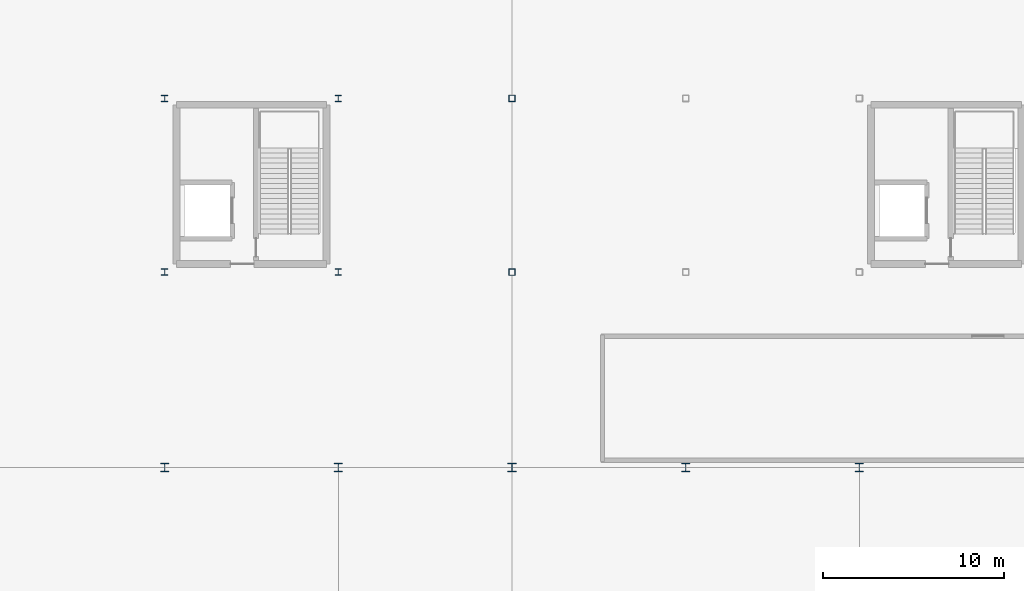
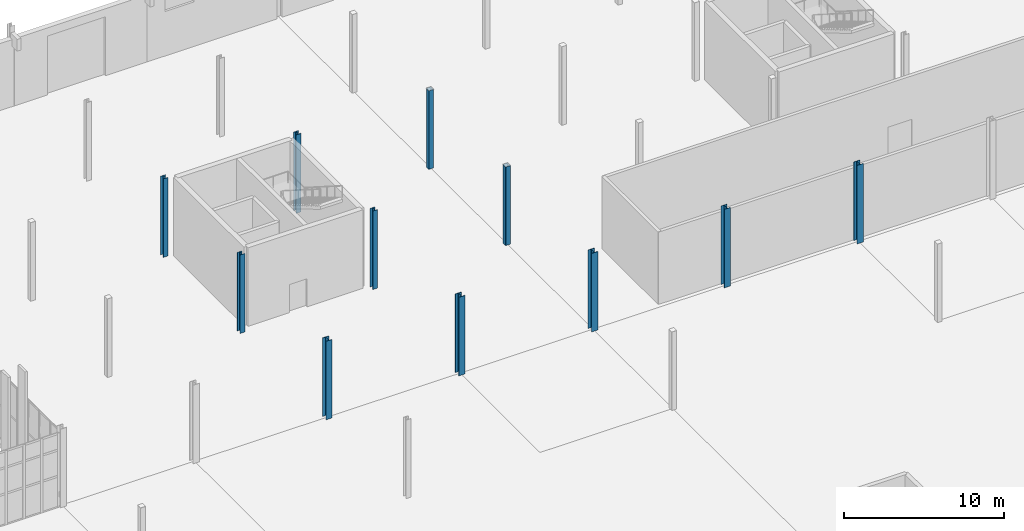
# One storey, part 14 of 139: 11 columns.
"""IFC4 building model written with IfcOpenShell, lengths in metres."""

from ifc_helpers import new_model, si_unit, direction, frame, origin, origin_2d, place, context, subcontext, project, spatial, hollow_rectangle, i_section, extrude, material, material_profile, profile_set, type_object, element, save


model = new_model("IFC4")

# Units and contexts
model_context = context("Model", 3, precision=1e-05, world=origin(), true_north=direction((0.0, 1.0)))
body_context = subcontext(model_context, "Body", "Model", "MODEL_VIEW")
ifc_project = project(units=[si_unit("LENGTHUNIT", "METRE"), si_unit("AREAUNIT", "SQUARE_METRE"), si_unit("VOLUMEUNIT", "CUBIC_METRE"), si_unit("PLANEANGLEUNIT", "RADIAN"), si_unit("MASSUNIT", "GRAM", prefix="KILO")], contexts=[model_context])

# Site, building, storey
site_placement = place(None, origin())
site = spatial("IfcSite", under=ifc_project, at=site_placement, CompositionType="ELEMENT")
building_placement = place(site_placement, origin())
building = spatial("IfcBuilding", under=site, at=building_placement, Name="Yeouljin Market Hall", CompositionType="ELEMENT")
storey_placement = place(building_placement, origin())
storey = spatial("IfcBuildingStorey", under=building, at=storey_placement, Name="L00", CompositionType="ELEMENT", Elevation=0.0)

# Columns
ifc_material_1 = material(Name="Steel SM355", Category="steel")
ifc_material_profile_1 = material_profile(ifc_material_1, i_section(OverallWidth=0.35009765625, OverallDepth=0.35009765625, WebThickness=0.011962890625, FlangeThickness=0.01904296875, FilletRadius=0.02001953125, at=origin_2d()), Name="H-350x350x12x19")
ifc_profile_set_1 = profile_set([ifc_material_profile_1], Name="Steel SM355")
column_type_1 = type_object("IfcColumnType", Name="Col_H-350x350x12x19", PredefinedType="COLUMN", material=ifc_profile_set_1)
for number, where, z_axis, x_axis, name in (
    (1, (64.199951171875, 88.800048828125, 0.0), (0.0, 0.0, 1.0), (1.0, 0.0, 0.0), "Column G-08-09 (L00)"),
    (2, (64.199951171875, 98.39990234375, 0.0), (0.0, 0.0, 1.0), (1.0, 0.0, 0.0), "Column G-08-10 (L00)"),
    (3, (73.800048828125, 88.800048828125, 0.0), (0.0, 0.0, 1.0), (1.0, 0.0, 0.0), "Column G-09-09 (L00)"),
    (4, (73.800048828125, 98.39990234375, 0.0), (0.0, 0.0, 1.0), (1.0, 0.0, 0.0), "Column G-09-10 (L00)"),
):
    element("IfcColumn", number, at=place(storey_placement, frame(where, z_axis=z_axis, x_axis=x_axis)), inside=storey, type_object=column_type_1, Name=name, PredefinedType="COLUMN", context=body_context, shape_type="SweptSolid", body=[
        extrude(i_section(OverallWidth=0.35009765625, OverallDepth=0.35009765625, WebThickness=0.011962890625, FlangeThickness=0.01904296875, FilletRadius=0.02001953125, at=origin_2d()), origin(), (0.0, 0.0, 1.0), 6.0),
    ])
ifc_material_2 = material(Name="Steel SM355", Category="steel")
ifc_material_profile_2 = material_profile(ifc_material_2, i_section(OverallWidth=0.449951171875, OverallDepth=0.449951171875, WebThickness=0.013916015625, FlangeThickness=0.02392578125, FilletRadius=0.02392578125, at=origin_2d()), Name="H-450x450x14x24")
ifc_profile_set_2 = profile_set([ifc_material_profile_2], Name="Steel SM355")
column_type_2 = type_object("IfcColumnType", Name="Col_H-450x450x14x24", PredefinedType="COLUMN", material=ifc_profile_set_2)
for number, where, z_axis, x_axis, name in (
    (5, (64.199951171875, 78.0, 0.0), (0.0, 0.0, 1.0), (1.0, 0.0, 0.0), "Column G-08-08 (L00)"),
    (6, (73.800048828125, 78.0, 0.0), (0.0, 0.0, 1.0), (1.0, 0.0, 0.0), "Column G-09-08 (L00)"),
    (7, (83.39990234375, 78.0, 0.0), (0.0, 0.0, 1.0), (1.0, 0.0, 0.0), "Column G-10-08 (L00)"),
    (8, (93.0, 78.0, 0.0), (0.0, 0.0, 1.0), (1.0, 0.0, 0.0), "Column G-11-08 (L00)"),
    (9, (102.60009765625, 78.0, 0.0), (0.0, 0.0, 1.0), (1.0, 0.0, 0.0), "Column G-12-08 (L00)"),
):
    element("IfcColumn", number, at=place(storey_placement, frame(where, z_axis=z_axis, x_axis=x_axis)), inside=storey, type_object=column_type_2, Name=name, PredefinedType="COLUMN", context=body_context, shape_type="SweptSolid", body=[
        extrude(i_section(OverallWidth=0.449951171875, OverallDepth=0.449951171875, WebThickness=0.013916015625, FlangeThickness=0.02392578125, FilletRadius=0.02392578125, at=origin_2d()), origin(), (0.0, 0.0, 1.0), 6.0),
    ])
ifc_material_3 = material(Name="Steel SM355", Category="steel")
ifc_material_profile_3 = material_profile(ifc_material_3, hollow_rectangle(XDim=0.35009765625, YDim=0.35009765625, WallThickness=0.011962890625, InnerFilletRadius=0.011962890625, OuterFilletRadius=0.01611328125, at=origin_2d()), Name="SHS-350x350x12")
ifc_profile_set_3 = profile_set([ifc_material_profile_3], Name="Steel SM355")
column_type_3 = type_object("IfcColumnType", Name="Col_SHS-350x350x12", PredefinedType="COLUMN", material=ifc_profile_set_3)
for number, where, z_axis, x_axis, name in (
    (10, (83.39990234375, 88.800048828125, 0.0), (0.0, 0.0, 1.0), (1.0, 0.0, 0.0), "Column G-10-09 (L00)"),
    (11, (83.39990234375, 98.39990234375, 0.0), (0.0, 0.0, 1.0), (1.0, 0.0, 0.0), "Column G-10-10 (L00)"),
):
    element("IfcColumn", number, at=place(storey_placement, frame(where, z_axis=z_axis, x_axis=x_axis)), inside=storey, type_object=column_type_3, Name=name, PredefinedType="COLUMN", context=body_context, shape_type="SweptSolid", body=[
        extrude(hollow_rectangle(XDim=0.35009765625, YDim=0.35009765625, WallThickness=0.011962890625, InnerFilletRadius=0.011962890625, OuterFilletRadius=0.01611328125, at=origin_2d()), origin(), (0.0, 0.0, 1.0), 6.0),
    ])

save(model, "model.ifc")
